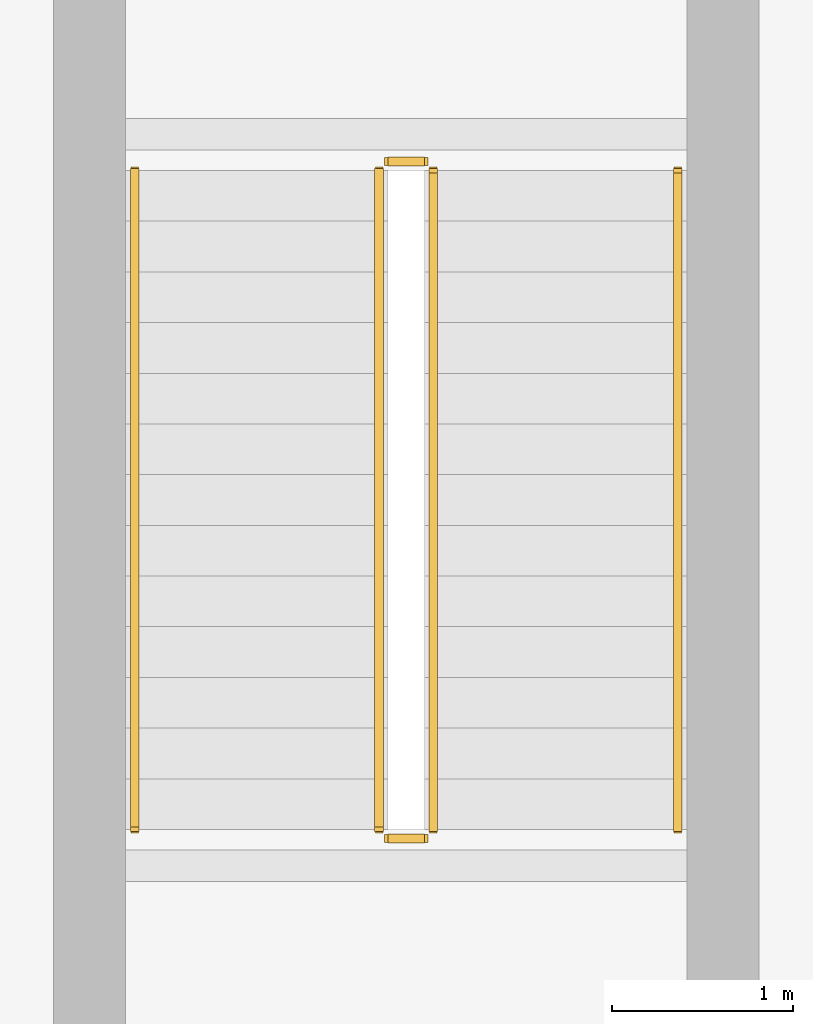
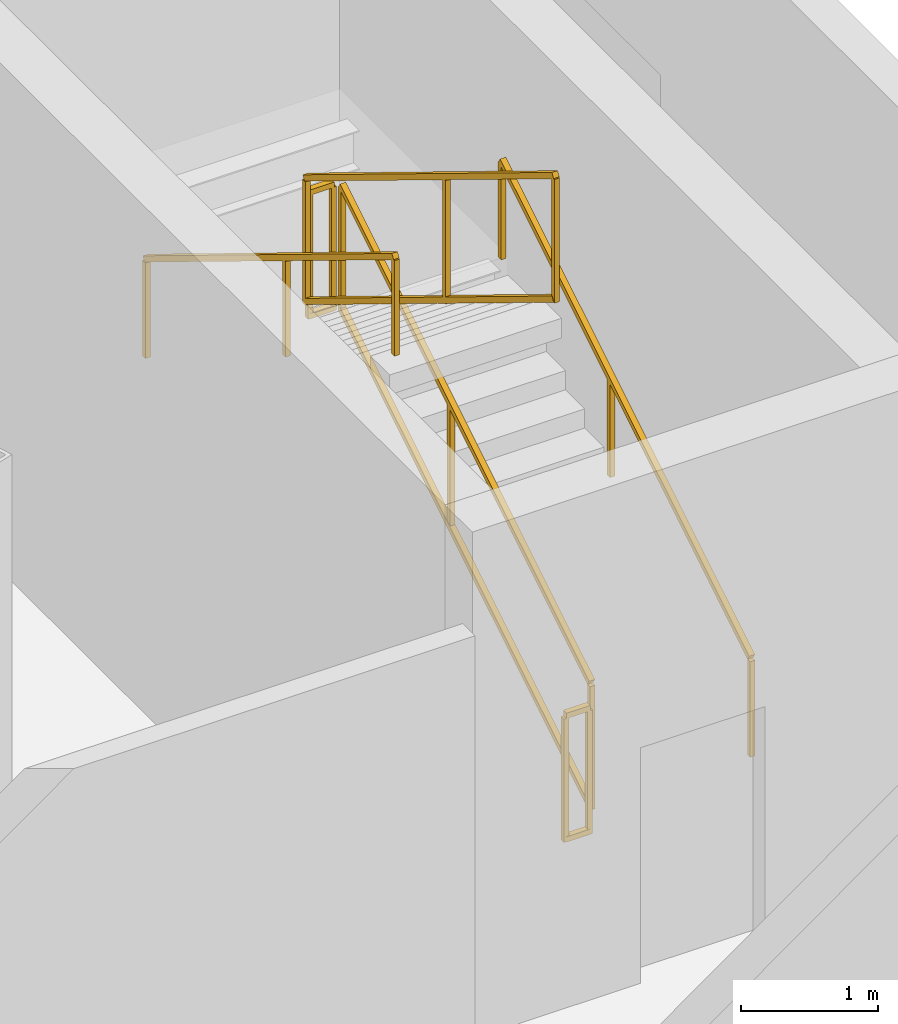
# One storey, part 40 of 40: 6 railings.
"""IFC4 building model written with IfcOpenShell, lengths in metres."""

from ifc_helpers import new_model, si_unit, direction, frame, origin, origin_2d, place, context, subcontext, project, spatial, rectangle, extrude, material, type_object, element, save


model = new_model("IFC4")

# Units and contexts
model_context = context("Model", 3, precision=1e-05, world=origin(), true_north=direction((0.0, 1.0)))
body_context = subcontext(model_context, "Body", "Model", "MODEL_VIEW")
ifc_project = project(units=[si_unit("LENGTHUNIT", "METRE"), si_unit("AREAUNIT", "SQUARE_METRE"), si_unit("VOLUMEUNIT", "CUBIC_METRE"), si_unit("PLANEANGLEUNIT", "RADIAN"), si_unit("MASSUNIT", "GRAM", prefix="KILO"), si_unit("THERMODYNAMICTEMPERATUREUNIT", "KELVIN"), si_unit("POWERUNIT", "WATT")], contexts=[model_context])

# Site, building, storey
site_placement = place(None, origin())
site = spatial("IfcSite", under=ifc_project, at=site_placement, CompositionType="ELEMENT")
building_placement = place(site_placement, origin())
building = spatial("IfcBuilding", under=site, at=building_placement, Name="Yunzhuo Pagoda Commons", CompositionType="ELEMENT")
storey_placement = place(building_placement, frame((0.0, 0.0, 14.39990234375)))
storey = spatial("IfcBuildingStorey", under=building, at=storey_placement, Name="L04", CompositionType="ELEMENT", Elevation=14.39990234375)

# Railings
ifc_material = material(Name="Anodized aluminium 6063-T6", Category="aluminium")
railing_type_1 = type_object("IfcRailingType", Name="GR-PS4 Podium Well Guardrail 1165", PredefinedType="GUARDRAIL", material=ifc_material)
railing_1_placement = place(storey_placement, frame((88.39990234375, 44.300048828125, 0.171630859375)))
element("IfcRailing", 1, at=railing_1_placement, inside=storey, type_object=railing_type_1, Name="L04 PS4 stair guard 1", PredefinedType="GUARDRAIL", context=body_context, shape_type="SweptSolid", body=[
    extrude(rectangle(XDim=0.048095703125, YDim=0.048095703125, at=origin_2d()), frame((0.0, 0.0, 1.1259765625), z_axis=(0.0, 0.852850264322, 0.5221555579), x_axis=(-1.0, 0.0, 0.0)), (0.0, 0.0, 1.0), 4.267822265625),
    extrude(rectangle(XDim=0.048095703125, YDim=0.048095703125, at=origin_2d()), frame((0.0, 0.0, 0.02392578125), z_axis=(0.0, 0.852850264322, 0.5221555579), x_axis=(-1.0, 0.0, 0.0)), (0.0, 0.0, 1.0), 4.267822265625),
    extrude(rectangle(XDim=0.0419921875, YDim=0.0419921875, at=origin_2d()), origin(), (0.0, 0.0, 1.0), 1.101806640625),
    extrude(rectangle(XDim=0.0419921875, YDim=0.0419921875, at=origin_2d()), frame((0.0, 2.046875, 1.253173828125)), (0.0, 0.0, 1.0), 1.101806640625),
    extrude(rectangle(XDim=0.0419921875, YDim=0.0419921875, at=origin_2d()), frame((0.0, 3.639892578125, 2.228515625)), (0.0, 0.0, 1.0), 1.101806640625),
])
railing_2_placement = place(storey_placement, frame((88.35009765625, 47.989990234375, 2.400146484375)))
element("IfcRailing", 2, at=railing_2_placement, inside=storey, type_object=railing_type_1, Name="L04 PS4 stair guard 2", PredefinedType="GUARDRAIL", context=body_context, shape_type="SweptSolid", body=[
    extrude(rectangle(XDim=0.048095703125, YDim=0.048095703125, at=origin_2d()), frame((0.0, 0.0, 1.1259765625), z_axis=(-1.0, 0.0, 0.0), x_axis=(0.0, -1.0, 0.0)), (0.0, 0.0, 1.0), 0.2001953125),
    extrude(rectangle(XDim=0.048095703125, YDim=0.048095703125, at=origin_2d()), frame((0.0, 0.0, 0.02392578125), z_axis=(-1.0, 0.0, 0.0), x_axis=(0.0, -1.0, 0.0)), (0.0, 0.0, 1.0), 0.2001953125),
    extrude(rectangle(XDim=0.0419921875, YDim=0.0419921875, at=origin_2d()), origin(), (0.0, 0.0, 1.0), 1.101806640625),
    extrude(rectangle(XDim=0.0419921875, YDim=0.0419921875, at=origin_2d()), frame((-0.2001953125, 0.0, 0.0)), (0.0, 0.0, 1.0), 1.101806640625),
])
railing_3_placement = place(storey_placement, frame((88.10009765625, 47.93994140625, 2.571533203125)))
element("IfcRailing", 3, at=railing_3_placement, inside=storey, type_object=railing_type_1, Name="L04 PS4 stair guard 3", PredefinedType="GUARDRAIL", context=body_context, shape_type="SweptSolid", body=[
    extrude(rectangle(XDim=0.048095703125, YDim=0.048095703125, at=origin_2d()), frame((0.0, 0.0, 1.1259765625), z_axis=(0.0, -0.852850264322, 0.5221555579), x_axis=(1.0, 0.0, 0.0)), (0.0, 0.0, 1.0), 4.267822265625),
    extrude(rectangle(XDim=0.048095703125, YDim=0.048095703125, at=origin_2d()), frame((0.0, 0.0, 0.02392578125), z_axis=(0.0, -0.852850264322, 0.5221555579), x_axis=(1.0, 0.0, 0.0)), (0.0, 0.0, 1.0), 4.267822265625),
    extrude(rectangle(XDim=0.0419921875, YDim=0.0419921875, at=origin_2d()), origin(), (0.0, 0.0, 1.0), 1.101806640625),
    extrude(rectangle(XDim=0.0419921875, YDim=0.0419921875, at=origin_2d()), frame((0.0, -2.046875, 1.253173828125)), (0.0, 0.0, 1.0), 1.101806640625),
    extrude(rectangle(XDim=0.0419921875, YDim=0.0419921875, at=origin_2d()), frame((0.0, -3.639892578125, 2.228515625)), (0.0, 0.0, 1.0), 1.101806640625),
])
railing_4_placement = place(storey_placement, frame((88.35009765625, 44.25, 0.0)))
element("IfcRailing", 4, at=railing_4_placement, inside=storey, type_object=railing_type_1, Name="L04 PS4 stair guard 4", PredefinedType="GUARDRAIL", context=body_context, shape_type="SweptSolid", body=[
    extrude(rectangle(XDim=0.048095703125, YDim=0.048095703125, at=origin_2d()), frame((0.0, 0.0, 1.1259765625), z_axis=(-1.0, 0.0, 0.0), x_axis=(0.0, -1.0, 0.0)), (0.0, 0.0, 1.0), 0.2001953125),
    extrude(rectangle(XDim=0.048095703125, YDim=0.048095703125, at=origin_2d()), frame((0.0, 0.0, 0.02392578125), z_axis=(-1.0, 0.0, 0.0), x_axis=(0.0, -1.0, 0.0)), (0.0, 0.0, 1.0), 0.2001953125),
    extrude(rectangle(XDim=0.0419921875, YDim=0.0419921875, at=origin_2d()), origin(), (0.0, 0.0, 1.0), 1.101806640625),
    extrude(rectangle(XDim=0.0419921875, YDim=0.0419921875, at=origin_2d()), frame((-0.2001953125, 0.0, 0.0)), (0.0, 0.0, 1.0), 1.101806640625),
])
railing_type_2 = type_object("IfcRailingType", Name="HR-PS4 Podium Stair Handrail 900", PredefinedType="HANDRAIL", material=ifc_material)
railing_5_placement = place(storey_placement, frame((89.75, 44.300048828125, 0.171630859375)))
element("IfcRailing", 5, at=railing_5_placement, inside=storey, type_object=railing_type_2, Name="L04 PS4 stair handrail 1", PredefinedType="HANDRAIL", context=body_context, shape_type="SweptSolid", body=[
    extrude(rectangle(XDim=0.048095703125, YDim=0.048095703125, at=origin_2d()), frame((0.0, 0.0, 0.8759765625), z_axis=(0.0, 0.852850264322, 0.5221555579), x_axis=(-1.0, 0.0, 0.0)), (0.0, 0.0, 1.0), 4.267822265625),
    extrude(rectangle(XDim=0.0419921875, YDim=0.0419921875, at=origin_2d()), origin(), (0.0, 0.0, 1.0), 0.851806640625),
    extrude(rectangle(XDim=0.0419921875, YDim=0.0419921875, at=origin_2d()), frame((0.0, 2.046875, 1.253173828125)), (0.0, 0.0, 1.0), 0.851806640625),
    extrude(rectangle(XDim=0.0419921875, YDim=0.0419921875, at=origin_2d()), frame((0.0, 3.639892578125, 2.228515625)), (0.0, 0.0, 1.0), 0.851806640625),
])
railing_6_placement = place(storey_placement, frame((86.75, 47.93994140625, 2.571533203125)))
element("IfcRailing", 6, at=railing_6_placement, inside=storey, type_object=railing_type_2, Name="L04 PS4 stair handrail 2", PredefinedType="HANDRAIL", context=body_context, shape_type="SweptSolid", body=[
    extrude(rectangle(XDim=0.048095703125, YDim=0.048095703125, at=origin_2d()), frame((0.0, 0.0, 0.8759765625), z_axis=(0.0, -0.852850264322, 0.5221555579), x_axis=(1.0, 0.0, 0.0)), (0.0, 0.0, 1.0), 4.267822265625),
    extrude(rectangle(XDim=0.0419921875, YDim=0.0419921875, at=origin_2d()), origin(), (0.0, 0.0, 1.0), 0.851806640625),
    extrude(rectangle(XDim=0.0419921875, YDim=0.0419921875, at=origin_2d()), frame((0.0, -2.046875, 1.253173828125)), (0.0, 0.0, 1.0), 0.851806640625),
    extrude(rectangle(XDim=0.0419921875, YDim=0.0419921875, at=origin_2d()), frame((0.0, -3.639892578125, 2.228515625)), (0.0, 0.0, 1.0), 0.851806640625),
])

save(model, "model.ifc")
